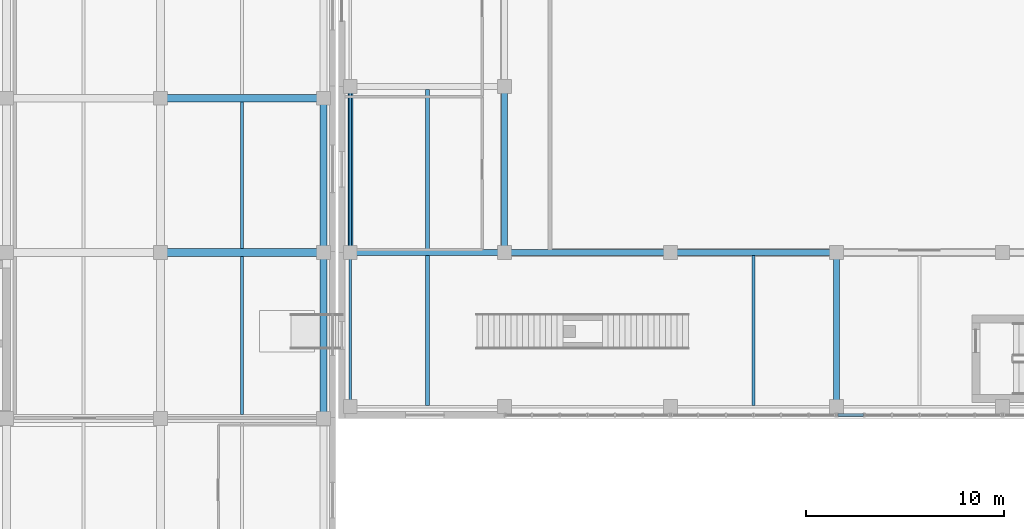
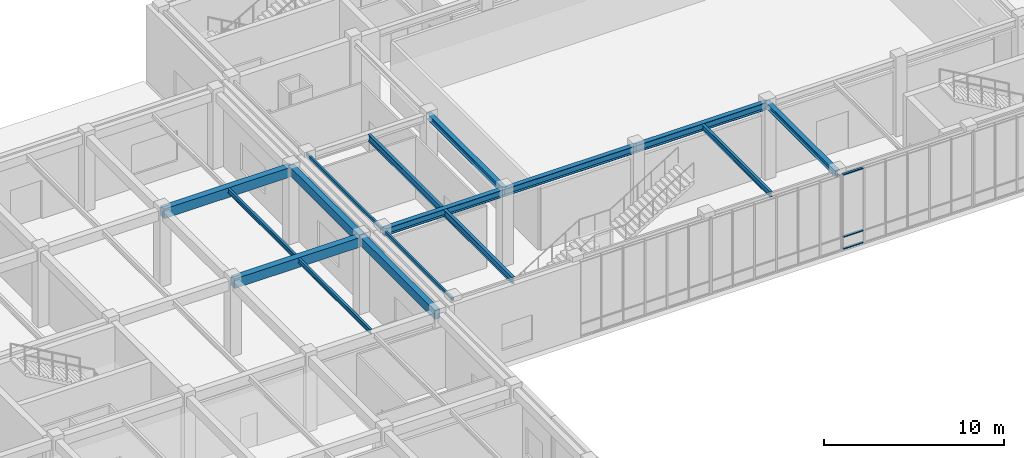
# One storey, part 75 of 122: 17 beams, 3 members, 1 element without a shape of its own.
"""IFC4 building model written with IfcOpenShell, lengths in metres."""

from ifc_helpers import new_model, si_unit, direction, frame, origin, origin_2d, place, context, subcontext, project, spatial, rectangle, hollow_rectangle, i_section, extrude, material, layer, layer_set, material_profile, profile_set, type_object, element, aggregate, save


model = new_model("IFC4")

# Units and contexts
model_context = context("Model", 3, precision=1e-05, world=origin(), true_north=direction((0.0, 1.0)))
body_context = subcontext(model_context, "Body", "Model", "MODEL_VIEW")
ifc_project = project(units=[si_unit("LENGTHUNIT", "METRE"), si_unit("AREAUNIT", "SQUARE_METRE"), si_unit("VOLUMEUNIT", "CUBIC_METRE"), si_unit("PLANEANGLEUNIT", "RADIAN"), si_unit("MASSUNIT", "GRAM", prefix="KILO")], contexts=[model_context])

# Site, building, storey
site_placement = place(None, origin())
site = spatial("IfcSite", under=ifc_project, at=site_placement, CompositionType="ELEMENT")
building_placement = place(site_placement, origin())
building = spatial("IfcBuilding", under=site, at=building_placement, Name="Zayran Congress Hotel", CompositionType="ELEMENT")
storey_placement = place(building_placement, origin())
storey = spatial("IfcBuildingStorey", under=building, at=storey_placement, Name="L00", CompositionType="ELEMENT", Elevation=0.0)

# Beams
ifc_material_1 = material(Name="Concrete C40/50", Category="concrete")
ifc_material_profile_1 = material_profile(ifc_material_1, rectangle(XDim=0.39990234375, YDim=0.64990234375, at=origin_2d()), Name="RC 400x650")
ifc_profile_set_1 = profile_set([ifc_material_profile_1], Name="Concrete C40/50")
beam_type_1 = type_object("IfcBeamType", Name="TP-BM-03", PredefinedType="BEAM", material=ifc_profile_set_1)
for number, where, z_axis, x_axis, name in (
    (1, (133.800048828125, 92.800048828125, 4.77490234375), (1.0, 0.0, 0.0), (0.0, 1.0, 0.0), "BM-V4-L00-1233"),
    (2, (133.800048828125, 100.60009765625, 4.77490234375), (1.0, 0.0, 0.0), (0.0, 1.0, 0.0), "BM-V4-L00-1237"),
):
    element("IfcBeam", number, at=place(storey_placement, frame(where, z_axis=z_axis, x_axis=x_axis)), inside=storey, type_object=beam_type_1, Name=name, PredefinedType="BEAM", context=body_context, shape_type="SweptSolid", body=[
        extrude(rectangle(XDim=0.39990234375, YDim=0.64990234375, at=origin_2d()), origin(), (0.0, 0.0, 1.0), 8.25),
    ])
ifc_material_profile_2 = material_profile(ifc_material_1, rectangle(XDim=0.35009765625, YDim=0.60009765625, at=origin_2d()), Name="RC 350x600")
ifc_profile_set_2 = profile_set([ifc_material_profile_2], Name="Concrete C40/50")
beam_type_2 = type_object("IfcBeamType", Name="TP-SP-01", PredefinedType="SPANDREL", material=ifc_profile_set_2)
beam_1_placement = place(storey_placement, frame((142.050048828125, 84.39990234375, 4.800048828125), z_axis=(0.0, 1.0, 0.0), x_axis=(-1.0, 0.0, 0.0)))
element("IfcBeam", 3, at=beam_1_placement, inside=storey, type_object=beam_type_2, Name="BM-V4-L00-1277", PredefinedType="SPANDREL", context=body_context, shape_type="SweptSolid", body=[
    extrude(rectangle(XDim=0.35009765625, YDim=0.60009765625, at=origin_2d()), origin(), (0.0, 0.0, 1.0), 8.400146484375),
])
beam_2_placement = place(storey_placement, frame((142.050048828125, 92.800048828125, 4.800048828125), z_axis=(0.0, 1.0, 0.0), x_axis=(-1.0, 0.0, 0.0)))
element("IfcBeam", 4, at=beam_2_placement, inside=storey, type_object=beam_type_2, Name="BM-V4-L00-1278", PredefinedType="SPANDREL", context=body_context, shape_type="SweptSolid", body=[
    extrude(rectangle(XDim=0.35009765625, YDim=0.60009765625, at=origin_2d()), origin(), (0.0, 0.0, 1.0), 7.800048828125),
])
ifc_material_profile_3 = material_profile(ifc_material_1, rectangle(XDim=0.25, YDim=0.39990234375, at=origin_2d()), Name="RC 250x400")
ifc_profile_set_3 = profile_set([ifc_material_profile_3], Name="Concrete C40/50")
beam_type_3 = type_object("IfcBeamType", Name="TP-LN-01", PredefinedType="LINTEL", material=ifc_profile_set_3)
beam_3_placement = place(storey_placement, frame((143.39990234375, 92.800048828125, 3.199951171875), z_axis=(0.0, 1.0, 0.0), x_axis=(-1.0, 0.0, 0.0)))
element("IfcBeam", 5, at=beam_3_placement, inside=storey, type_object=beam_type_3, Name="BM-LIN-12", PredefinedType="LINTEL", context=body_context, shape_type="SweptSolid", body=[
    extrude(rectangle(XDim=0.25, YDim=0.39990234375, at=origin_2d()), origin(), (0.0, 0.0, 1.0), 8.39990234375),
])
ifc_material_2 = material(Name="Steel S355", Category="steel")
ifc_material_profile_4 = material_profile(ifc_material_2, i_section(OverallWidth=0.300048828125, OverallDepth=0.489990234375, WebThickness=0.011962890625, FlangeThickness=0.02294921875, at=origin_2d()), Name="HEA 500")
ifc_profile_set_4 = profile_set([ifc_material_profile_4], Name="Steel S355")
beam_type_4 = type_object("IfcBeamType", Name="TP-BM-05", PredefinedType="BEAM", material=ifc_profile_set_4)
beam_4_placement = place(storey_placement, frame((143.39990234375, 92.800048828125, 4.8349609375), z_axis=(1.0, 0.0, 0.0), x_axis=(0.0, 1.0, 0.0)))
element("IfcBeam", 6, at=beam_4_placement, inside=storey, type_object=beam_type_4, Name="BM-V2-L00-0902", PredefinedType="BEAM", context=body_context, shape_type="SweptSolid", body=[
    extrude(i_section(OverallWidth=0.300048828125, OverallDepth=0.489990234375, WebThickness=0.011962890625, FlangeThickness=0.02294921875, at=origin_2d()), origin(), (0.0, 0.0, 1.0), 7.800048828125),
])
beam_5_placement = place(storey_placement, frame((151.199951171875, 92.800048828125, 4.8349609375), z_axis=(1.0, 0.0, 0.0), x_axis=(0.0, 1.0, 0.0)))
element("IfcBeam", 7, at=beam_5_placement, inside=storey, type_object=beam_type_4, Name="BM-V2-L00-0903", PredefinedType="BEAM", context=body_context, shape_type="SweptSolid", body=[
    extrude(i_section(OverallWidth=0.300048828125, OverallDepth=0.489990234375, WebThickness=0.011962890625, FlangeThickness=0.02294921875, at=origin_2d()), origin(), (0.0, 0.0, 1.0), 8.400146484375),
])
beam_6_placement = place(storey_placement, frame((159.60009765625, 92.800048828125, 4.8349609375), z_axis=(1.0, 0.0, 0.0), x_axis=(0.0, 1.0, 0.0)))
element("IfcBeam", 8, at=beam_6_placement, inside=storey, type_object=beam_type_4, Name="BM-V2-L00-0904", PredefinedType="BEAM", context=body_context, shape_type="SweptSolid", body=[
    extrude(i_section(OverallWidth=0.300048828125, OverallDepth=0.489990234375, WebThickness=0.011962890625, FlangeThickness=0.02294921875, at=origin_2d()), origin(), (0.0, 0.0, 1.0), 8.39990234375),
])
ifc_material_profile_5 = material_profile(ifc_material_2, i_section(OverallWidth=0.300048828125, OverallDepth=0.389892578125, WebThickness=0.010986328125, FlangeThickness=0.01904296875, at=origin_2d()), Name="HEA 400")
ifc_profile_set_5 = profile_set([ifc_material_profile_5], Name="Steel S355")
beam_type_5 = type_object("IfcBeamType", Name="TP-BM-06", PredefinedType="BEAM", material=ifc_profile_set_5)
beam_7_placement = place(storey_placement, frame((151.199951171875, 92.800048828125, 4.885009765625), z_axis=(0.0, 1.0, 0.0), x_axis=(-1.0, 0.0, 0.0)))
element("IfcBeam", 9, at=beam_7_placement, inside=storey, type_object=beam_type_5, Name="BM-V2-L00-0926", PredefinedType="BEAM", context=body_context, shape_type="SweptSolid", body=[
    extrude(i_section(OverallWidth=0.300048828125, OverallDepth=0.389892578125, WebThickness=0.010986328125, FlangeThickness=0.01904296875, at=origin_2d()), origin(), (0.0, 0.0, 1.0), 8.39990234375),
])
beam_8_placement = place(storey_placement, frame((168.0, 85.0, 4.885009765625), z_axis=(0.0, 1.0, 0.0), x_axis=(-1.0, 0.0, 0.0)))
element("IfcBeam", 10, at=beam_8_placement, inside=storey, type_object=beam_type_5, Name="BM-V2-L00-0929", PredefinedType="BEAM", context=body_context, shape_type="SweptSolid", body=[
    extrude(i_section(OverallWidth=0.300048828125, OverallDepth=0.389892578125, WebThickness=0.010986328125, FlangeThickness=0.01904296875, at=origin_2d()), origin(), (0.0, 0.0, 1.0), 7.800048828125),
])
ifc_material_profile_6 = material_profile(ifc_material_2, i_section(OverallWidth=0.18994140625, OverallDepth=0.449951171875, WebThickness=0.009521484375, FlangeThickness=0.0146484375, at=origin_2d()), Name="IPE 450")
ifc_profile_set_6 = profile_set([ifc_material_profile_6], Name="Steel S355")
beam_type_6 = type_object("IfcBeamType", Name="TP-JS-02", PredefinedType="JOIST", material=ifc_profile_set_6)
beam_9_placement = place(storey_placement, frame((147.300048828125, 85.06005859375, 4.85498046875), z_axis=(0.0, 1.0, 0.0), x_axis=(-1.0, 0.0, 0.0)))
element("IfcBeam", 11, at=beam_9_placement, inside=storey, type_object=beam_type_6, Name="JST-V2-L00-0940", PredefinedType="JOIST", context=body_context, shape_type="SweptSolid", body=[
    extrude(i_section(OverallWidth=0.18994140625, OverallDepth=0.449951171875, WebThickness=0.009521484375, FlangeThickness=0.0146484375, at=origin_2d()), origin(), (0.0, 0.0, 1.0), 7.58984375),
])
beam_10_placement = place(storey_placement, frame((147.300048828125, 92.949951171875, 4.85498046875), z_axis=(0.0, 1.0, 0.0), x_axis=(-1.0, 0.0, 0.0)))
element("IfcBeam", 12, at=beam_10_placement, inside=storey, type_object=beam_type_6, Name="JST-V2-L00-0941", PredefinedType="JOIST", context=body_context, shape_type="SweptSolid", body=[
    extrude(i_section(OverallWidth=0.18994140625, OverallDepth=0.449951171875, WebThickness=0.009521484375, FlangeThickness=0.0146484375, at=origin_2d()), origin(), (0.0, 0.0, 1.0), 8.10009765625),
])
ifc_material_profile_7 = material_profile(ifc_material_2, i_section(OverallWidth=0.169921875, OverallDepth=0.360107421875, WebThickness=0.008056640625, FlangeThickness=0.0126953125, at=origin_2d()), Name="IPE 360")
ifc_profile_set_7 = profile_set([ifc_material_profile_7], Name="Steel S355")
beam_type_7 = type_object("IfcBeamType", Name="TP-JS-04", PredefinedType="JOIST", material=ifc_profile_set_7)
beam_11_placement = place(storey_placement, frame((163.800048828125, 85.06005859375, 4.89990234375), z_axis=(0.0, 1.0, 0.0), x_axis=(-1.0, 0.0, 0.0)))
element("IfcBeam", 13, at=beam_11_placement, inside=storey, type_object=beam_type_7, Name="JST-V2-L00-0944", PredefinedType="JOIST", context=body_context, shape_type="SweptSolid", body=[
    extrude(i_section(OverallWidth=0.169921875, OverallDepth=0.360107421875, WebThickness=0.008056640625, FlangeThickness=0.0126953125, at=origin_2d()), origin(), (0.0, 0.0, 1.0), 7.58984375),
])
ifc_material_profile_8 = material_profile(ifc_material_2, i_section(OverallWidth=0.14990234375, OverallDepth=0.300048828125, WebThickness=0.007080078125, FlangeThickness=0.0107421875, at=origin_2d()), Name="IPE 300")
ifc_profile_set_8 = profile_set([ifc_material_profile_8], Name="Steel S355")
beam_type_8 = type_object("IfcBeamType", Name="TP-JS-05", PredefinedType="JOIST", material=ifc_profile_set_8)
beam_12_placement = place(storey_placement, frame((137.925048828125, 84.60009765625, 4.949951171875), z_axis=(0.0, 1.0, 0.0), x_axis=(-1.0, 0.0, 0.0)))
element("IfcBeam", 14, at=beam_12_placement, inside=storey, type_object=beam_type_8, Name="JST-V4-L00-1305", PredefinedType="JOIST", context=body_context, shape_type="SweptSolid", body=[
    extrude(i_section(OverallWidth=0.14990234375, OverallDepth=0.300048828125, WebThickness=0.007080078125, FlangeThickness=0.0107421875, at=origin_2d()), origin(), (0.0, 0.0, 1.0), 8.0),
])
beam_13_placement = place(storey_placement, frame((137.925048828125, 93.0, 4.949951171875), z_axis=(0.0, 1.0, 0.0), x_axis=(-1.0, 0.0, 0.0)))
element("IfcBeam", 15, at=beam_13_placement, inside=storey, type_object=beam_type_8, Name="JST-V4-L00-1306", PredefinedType="JOIST", context=body_context, shape_type="SweptSolid", body=[
    extrude(i_section(OverallWidth=0.14990234375, OverallDepth=0.300048828125, WebThickness=0.007080078125, FlangeThickness=0.0107421875, at=origin_2d()), origin(), (0.0, 0.0, 1.0), 7.39990234375),
])
ifc_material_profile_9 = material_profile(ifc_material_2, hollow_rectangle(XDim=0.1201171875, YDim=0.199951171875, WallThickness=0.008056640625, at=origin_2d()), Name="RHS 200x120x8")
ifc_profile_set_9 = profile_set([ifc_material_profile_9], Name="Steel S355")
beam_type_9 = type_object("IfcBeamType", Name="TP-SP-02", PredefinedType="SPANDREL", material=ifc_profile_set_9)
beam_14_placement = place(storey_placement, frame((143.39990234375, 85.0, 4.97998046875), z_axis=(0.0, 1.0, 0.0), x_axis=(-1.0, 0.0, 0.0)))
element("IfcBeam", 16, at=beam_14_placement, inside=storey, type_object=beam_type_9, Name="BM-V2-L00-0922", PredefinedType="SPANDREL", context=body_context, shape_type="SweptSolid", body=[
    extrude(hollow_rectangle(XDim=0.1201171875, YDim=0.199951171875, WallThickness=0.008056640625, at=origin_2d()), origin(), (0.0, 0.0, 1.0), 7.800048828125),
])
beam_15_placement = place(storey_placement, frame((143.39990234375, 92.800048828125, 4.97998046875), z_axis=(0.0, 1.0, 0.0), x_axis=(-1.0, 0.0, 0.0)))
element("IfcBeam", 17, at=beam_15_placement, inside=storey, type_object=beam_type_9, Name="BM-V2-L00-0923", PredefinedType="SPANDREL", context=body_context, shape_type="SweptSolid", body=[
    extrude(hollow_rectangle(XDim=0.1201171875, YDim=0.199951171875, WallThickness=0.008056640625, at=origin_2d()), origin(), (0.0, 0.0, 1.0), 8.39990234375),
])

# Curtain wall, members
ifc_material_3 = material(Name="Anodised aluminium and low-E insulated glass", Category="aluminium")
ifc_layer = layer(ifc_material_3, 0.179931640625)
ifc_layer_set = layer_set([ifc_layer], Name="Anodised aluminium and low-E insulated glass")
curtain_wall_type = type_object("IfcCurtainWallType", Name="CW-V2S-L00-CW-V22-8390-5080", PredefinedType="USERDEFINED", material=ifc_layer_set)
curtain_wall_placement = place(storey_placement, origin())
curtain_wall = element("IfcCurtainWall", 18, at=curtain_wall_placement, inside=storey, type_object=curtain_wall_type, Name="CW-V2S-L00-3", ObjectType="CURTAIN WALL", PredefinedType="USERDEFINED")
ifc_material_4 = material(Name="Anodised aluminium framing", Category="aluminium")
ifc_material_profile_10 = material_profile(ifc_material_4, hollow_rectangle(XDim=0.06005859375, YDim=0.14990234375, WallThickness=0.00390625, at=origin_2d()), Name="RHS 150x60x4")
ifc_profile_set_10 = profile_set([ifc_material_profile_10], Name="Anodised aluminium framing")
member_type = type_object("IfcMemberType", Name="TP-CWT-01", PredefinedType="USERDEFINED", material=ifc_profile_set_10)
member_1_placement = place(storey_placement, frame((168.0849609375, 84.570068359375, 0.030029296875), z_axis=(1.0, 0.0, 0.0), x_axis=(0.0, 0.0, 1.0)))
member_1 = element("IfcMember", 19, at=member_1_placement, type_object=member_type, Name="CW-V2S-L00-3-T00-0", ObjectType="TRANSOM", PredefinedType="USERDEFINED", context=body_context, shape_type="SweptSolid", body=[
    extrude(hollow_rectangle(XDim=0.06005859375, YDim=0.14990234375, WallThickness=0.00390625, at=origin_2d()), origin(), (0.0, 0.0, 1.0), 1.2783203125),
])
member_2_placement = place(storey_placement, frame((168.0849609375, 84.570068359375, 0.840087890625), z_axis=(1.0, 0.0, 0.0), x_axis=(0.0, 0.0, 1.0)))
member_2 = element("IfcMember", 20, at=member_2_placement, type_object=member_type, Name="CW-V2S-L00-3-T00-1", ObjectType="TRANSOM", PredefinedType="USERDEFINED", context=body_context, shape_type="SweptSolid", body=[
    extrude(hollow_rectangle(XDim=0.06005859375, YDim=0.14990234375, WallThickness=0.00390625, at=origin_2d()), origin(), (0.0, 0.0, 1.0), 1.2783203125),
])
member_3_placement = place(storey_placement, frame((168.0849609375, 84.570068359375, 5.050048828125), z_axis=(1.0, 0.0, 0.0), x_axis=(0.0, 0.0, 1.0)))
member_3 = element("IfcMember", 21, at=member_3_placement, type_object=member_type, Name="CW-V2S-L00-3-T00-2", ObjectType="TRANSOM", PredefinedType="USERDEFINED", context=body_context, shape_type="SweptSolid", body=[
    extrude(hollow_rectangle(XDim=0.06005859375, YDim=0.14990234375, WallThickness=0.00390625, at=origin_2d()), origin(), (0.0, 0.0, 1.0), 1.2783203125),
])
aggregate(curtain_wall, [member_1, member_2, member_3])

save(model, "model.ifc")
